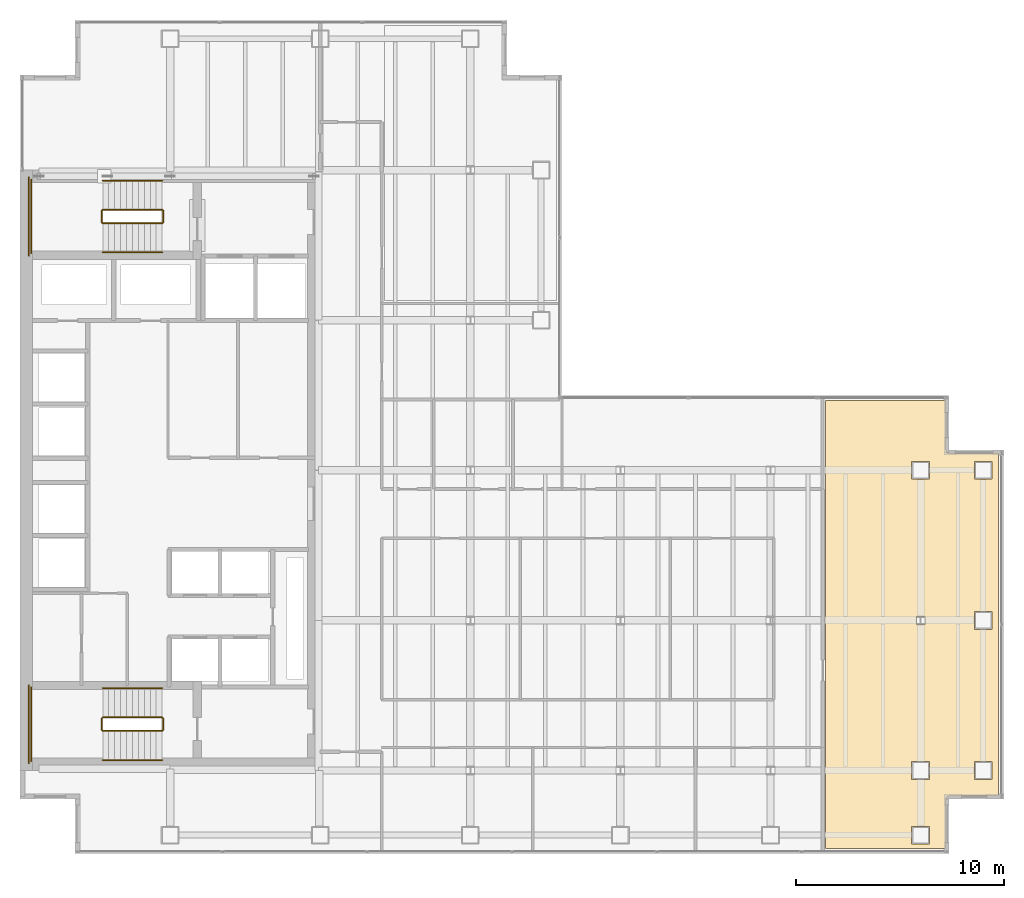
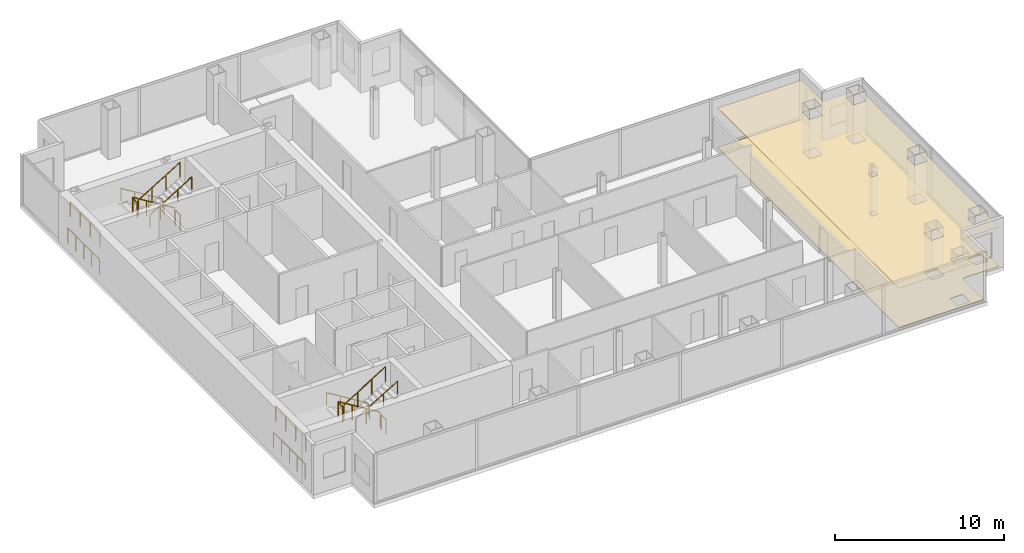
# One storey, part 23 of 24: 16 railings, 2 coverings.
"""IFC4 building model written with IfcOpenShell, lengths in metres."""

from ifc_helpers import new_model, si_unit, direction, frame, origin, origin_2d, place, context, subcontext, project, spatial, polyline, circle, outline, extrude, material, layer, layer_set, type_object, element, save


model = new_model("IFC4")

# Units and contexts
model_context = context("Model", 3, precision=1e-05, world=origin(), true_north=direction((0.0, 1.0)))
body_context = subcontext(model_context, "Body", "Model", "MODEL_VIEW")
ifc_project = project(units=[si_unit("LENGTHUNIT", "METRE"), si_unit("AREAUNIT", "SQUARE_METRE"), si_unit("VOLUMEUNIT", "CUBIC_METRE"), si_unit("PLANEANGLEUNIT", "RADIAN"), si_unit("MASSUNIT", "GRAM", prefix="KILO")], contexts=[model_context])

# Site, building, storey
site_placement = place(None, origin())
site = spatial("IfcSite", under=ifc_project, at=site_placement, CompositionType="ELEMENT")
building_placement = place(site_placement, origin())
building = spatial("IfcBuilding", under=site, at=building_placement, Name="Cobrela Telecom Tower", CompositionType="ELEMENT")
storey_placement = place(building_placement, frame((0.0, 0.0, 152.25)))
storey = spatial("IfcBuildingStorey", under=building, at=storey_placement, Name="L38", CompositionType="ELEMENT", Elevation=152.25)

# Coverings
ifc_material_1 = material(Name="Mineral Fibre Acoustic Ceiling Tile")
ifc_layer_1 = layer(ifc_material_1, 0.02490234375)
ifc_layer_set_1 = layer_set([ifc_layer_1], Name="Mineral Fibre Acoustic Ceiling Tile")
covering_type_1 = type_object("IfcCoveringType", Name="COV-CEIL-ACT", PredefinedType="CEILING", material=ifc_layer_set_1)
covering_1_placement = place(storey_placement, frame((0.0, 0.0, 2.860107421875)))
element("IfcCovering", 1, at=covering_1_placement, inside=storey, type_object=covering_type_1, Name="L38 Systems Engineering Studio 8 Suspended Acoustic Ceiling", PredefinedType="CEILING", context=body_context, shape_type="SweptSolid", body=[
    extrude(outline(polyline([(44.542724609375, 5.96728515625), (44.529296875, 5.964111328125), (44.516357421875, 5.95947265625), (44.50390625, 5.95361328125), (44.4921875, 5.9462890625), (44.481201171875, 5.938232421875), (44.470947265625, 5.928955078125), (44.461669921875, 5.918701171875), (44.45361328125, 5.907958984375), (44.446533203125, 5.89599609375), (44.440673828125, 5.883544921875), (44.43603515625, 5.87060546875), (44.4326171875, 5.857421875), (44.4306640625, 5.84375), (44.429931640625, 5.8310546875), (44.429931640625, 3.4599609375), (38.639892578125, 3.4599609375), (38.639892578125, 24.93994140625), (44.429931640625, 24.93994140625), (44.429931640625, 22.569091796875), (44.4306640625, 22.556396484375), (44.4326171875, 22.542724609375), (44.43603515625, 22.529296875), (44.440673828125, 22.516357421875), (44.446533203125, 22.50390625), (44.45361328125, 22.4921875), (44.461669921875, 22.481201171875), (44.470947265625, 22.470947265625), (44.481201171875, 22.461669921875), (44.4921875, 22.45361328125), (44.50390625, 22.446533203125), (44.516357421875, 22.440673828125), (44.529296875, 22.43603515625), (44.542724609375, 22.4326171875), (44.556396484375, 22.4306640625), (44.569091796875, 22.429931640625), (46.93994140625, 22.429931640625), (46.93994140625, 5.969970703125), (44.569091796875, 5.969970703125), (44.556396484375, 5.969482421875), (44.542724609375, 5.96728515625)]), holes=[polyline([(43.625, 3.675048828125), (43.625, 4.52490234375), (42.77490234375, 4.52490234375), (42.77490234375, 3.675048828125), (43.625, 3.675048828125)]), polyline([(43.625, 6.77490234375), (43.625, 7.625), (42.77490234375, 7.625), (42.77490234375, 6.77490234375), (43.625, 6.77490234375)]), polyline([(46.625, 6.77490234375), (46.625, 7.625), (45.77490234375, 7.625), (45.77490234375, 6.77490234375), (46.625, 6.77490234375)]), polyline([(43.3994140625, 14.202880859375), (43.3994140625, 14.596923828125), (43.00048828125, 14.596923828125), (43.00048828125, 14.202880859375), (43.3994140625, 14.202880859375)]), polyline([(46.625, 13.97509765625), (46.625, 14.824951171875), (45.77490234375, 14.824951171875), (45.77490234375, 13.97509765625), (46.625, 13.97509765625)]), polyline([(43.625, 21.175048828125), (43.625, 22.02490234375), (42.77490234375, 22.02490234375), (42.77490234375, 21.175048828125), (43.625, 21.175048828125)]), polyline([(46.625, 21.175048828125), (46.625, 22.02490234375), (45.77490234375, 22.02490234375), (45.77490234375, 21.175048828125), (46.625, 21.175048828125)])]), origin(), (0.0, 0.0, 1.0), 0.02490234375),
])
ifc_material_2 = material(Name="Honed Colombian Basalt Stone", Category="masonry")
ifc_layer_2 = layer(ifc_material_2, 0.0400390625)
ifc_layer_set_2 = layer_set([ifc_layer_2], Name="Honed Colombian Basalt Stone")
covering_type_2 = type_object("IfcCoveringType", Name="COV-FLR-STONE", PredefinedType="FLOORING", material=ifc_layer_set_2)
covering_2_placement = place(storey_placement, origin())
element("IfcCovering", 2, at=covering_2_placement, inside=storey, type_object=covering_type_2, Name="L38 Systems Engineering Studio 8 Raised Technical Flooring", PredefinedType="FLOORING", context=body_context, shape_type="SweptSolid", body=[
    extrude(outline(polyline([(44.542724609375, 5.96728515625), (44.529296875, 5.964111328125), (44.516357421875, 5.95947265625), (44.50390625, 5.95361328125), (44.4921875, 5.9462890625), (44.481201171875, 5.938232421875), (44.470947265625, 5.928955078125), (44.461669921875, 5.918701171875), (44.45361328125, 5.907958984375), (44.446533203125, 5.89599609375), (44.440673828125, 5.883544921875), (44.43603515625, 5.87060546875), (44.4326171875, 5.857421875), (44.4306640625, 5.84375), (44.429931640625, 5.8310546875), (44.429931640625, 3.4599609375), (38.639892578125, 3.4599609375), (38.639892578125, 24.93994140625), (44.429931640625, 24.93994140625), (44.429931640625, 22.569091796875), (44.4306640625, 22.556396484375), (44.4326171875, 22.542724609375), (44.43603515625, 22.529296875), (44.440673828125, 22.516357421875), (44.446533203125, 22.50390625), (44.45361328125, 22.4921875), (44.461669921875, 22.481201171875), (44.470947265625, 22.470947265625), (44.481201171875, 22.461669921875), (44.4921875, 22.45361328125), (44.50390625, 22.446533203125), (44.516357421875, 22.440673828125), (44.529296875, 22.43603515625), (44.542724609375, 22.4326171875), (44.556396484375, 22.4306640625), (44.569091796875, 22.429931640625), (46.93994140625, 22.429931640625), (46.93994140625, 5.969970703125), (44.569091796875, 5.969970703125), (44.556396484375, 5.969482421875), (44.542724609375, 5.96728515625)]), holes=[polyline([(43.625, 3.675048828125), (43.625, 4.52490234375), (42.77490234375, 4.52490234375), (42.77490234375, 3.675048828125), (43.625, 3.675048828125)]), polyline([(43.625, 6.77490234375), (43.625, 7.625), (42.77490234375, 7.625), (42.77490234375, 6.77490234375), (43.625, 6.77490234375)]), polyline([(46.625, 6.77490234375), (46.625, 7.625), (45.77490234375, 7.625), (45.77490234375, 6.77490234375), (46.625, 6.77490234375)]), polyline([(43.3994140625, 14.202880859375), (43.3994140625, 14.596923828125), (43.00048828125, 14.596923828125), (43.00048828125, 14.202880859375), (43.3994140625, 14.202880859375)]), polyline([(46.625, 13.97509765625), (46.625, 14.824951171875), (45.77490234375, 14.824951171875), (45.77490234375, 13.97509765625), (46.625, 13.97509765625)]), polyline([(43.625, 21.175048828125), (43.625, 22.02490234375), (42.77490234375, 22.02490234375), (42.77490234375, 21.175048828125), (43.625, 21.175048828125)]), polyline([(46.625, 21.175048828125), (46.625, 22.02490234375), (45.77490234375, 22.02490234375), (45.77490234375, 21.175048828125), (46.625, 21.175048828125)])]), origin(), (0.0, 0.0, 1.0), 0.0400390625),
])

# Railings
ifc_material_3 = material(Name="Steel ASTM A36", Category="steel")
railing_type_1 = type_object("IfcRailingType", Name="RAIL-GUARD-1100", PredefinedType="GUARDRAIL", material=ifc_material_3)
railing_1_placement = place(storey_placement, frame((6.820068359375, 34.10009765625, 0.175048828125)))
element("IfcRailing", 3, at=railing_1_placement, inside=storey, type_object=railing_type_1, Name="L38 ST1 stair guard 1", PredefinedType="GUARDRAIL", context=body_context, shape_type="SweptSolid", body=[
    extrude(circle(Radius=0.02392578125, at=origin_2d()), frame((0.0, 0.0, 1.076171875), z_axis=(-0.852179220489, 0.0, 0.52325001306), x_axis=(0.0, -1.0, 0.0)), (0.0, 0.0, 1.0), 3.344482421875),
    extrude(circle(Radius=0.02099609375, at=origin_2d()), origin(), (0.0, 0.0, 1.0), 1.052001953125),
    extrude(circle(Radius=0.02099609375, at=origin_2d()), frame((-0.949951171875, 0.0, 0.583251953125)), (0.0, 0.0, 1.0), 1.052001953125),
    extrude(circle(Radius=0.02099609375, at=origin_2d()), frame((-1.900146484375, 0.0, 1.166748046875)), (0.0, 0.0, 1.0), 1.052001953125),
    extrude(circle(Radius=0.02099609375, at=origin_2d()), frame((-2.85009765625, 0.0, 1.75)), (0.0, 0.0, 1.0), 1.052001953125),
])
railing_2_placement = place(storey_placement, frame((3.919921875, 34.050048828125, 1.925048828125)))
element("IfcRailing", 4, at=railing_2_placement, inside=storey, type_object=railing_type_1, Name="L38 ST1 stair guard 2", PredefinedType="GUARDRAIL", context=body_context, shape_type="SweptSolid", body=[
    extrude(circle(Radius=0.02392578125, at=origin_2d()), frame((0.0, 0.0, 1.076171875), z_axis=(0.0, -1.0, 0.0), x_axis=(1.0, 0.0, 0.0)), (0.0, 0.0, 1.0), 0.550048828125),
    extrude(circle(Radius=0.02099609375, at=origin_2d()), origin(), (0.0, 0.0, 1.0), 1.052001953125),
    extrude(circle(Radius=0.02099609375, at=origin_2d()), frame((0.0, -0.550048828125, 0.0)), (0.0, 0.0, 1.0), 1.052001953125),
])
railing_3_placement = place(storey_placement, frame((0.530029296875, 35.550048828125, 1.925048828125)))
element("IfcRailing", 5, at=railing_3_placement, inside=storey, type_object=railing_type_1, Name="L38 ST1 stair guard 3", PredefinedType="GUARDRAIL", context=body_context, shape_type="SweptSolid", body=[
    extrude(circle(Radius=0.02392578125, at=origin_2d()), frame((0.0, 0.0, 1.076171875), z_axis=(0.0, -1.0, 0.0), x_axis=(1.0, 0.0, 0.0)), (0.0, 0.0, 1.0), 3.550048828125),
    extrude(circle(Radius=0.02099609375, at=origin_2d()), origin(), (0.0, 0.0, 1.0), 1.052001953125),
    extrude(circle(Radius=0.02099609375, at=origin_2d()), frame((0.0, -1.183349609375, 0.0)), (0.0, 0.0, 1.0), 1.052001953125),
    extrude(circle(Radius=0.02099609375, at=origin_2d()), frame((0.0, -2.36669921875, 0.0)), (0.0, 0.0, 1.0), 1.052001953125),
    extrude(circle(Radius=0.02099609375, at=origin_2d()), frame((0.0, -3.550048828125, 0.0)), (0.0, 0.0, 1.0), 1.052001953125),
])
railing_4_placement = place(storey_placement, frame((3.969970703125, 33.449951171875, 2.10009765625)))
element("IfcRailing", 6, at=railing_4_placement, inside=storey, type_object=railing_type_1, Name="L38 ST1 stair guard 4", PredefinedType="GUARDRAIL", context=body_context, shape_type="SweptSolid", body=[
    extrude(circle(Radius=0.02392578125, at=origin_2d()), frame((0.0, 0.0, 1.076171875), z_axis=(0.852179220489, 0.0, 0.52325001306), x_axis=(0.0, 1.0, 0.0)), (0.0, 0.0, 1.0), 3.344482421875),
    extrude(circle(Radius=0.02099609375, at=origin_2d()), origin(), (0.0, 0.0, 1.0), 1.052001953125),
    extrude(circle(Radius=0.02099609375, at=origin_2d()), frame((0.949951171875, 0.0, 0.583251953125)), (0.0, 0.0, 1.0), 1.052001953125),
    extrude(circle(Radius=0.02099609375, at=origin_2d()), frame((1.900146484375, 0.0, 1.166748046875)), (0.0, 0.0, 1.0), 1.052001953125),
    extrude(circle(Radius=0.02099609375, at=origin_2d()), frame((2.85009765625, 0.0, 1.75)), (0.0, 0.0, 1.0), 1.052001953125),
])
railing_5_placement = place(storey_placement, frame((6.8701171875, 34.050048828125, 0.0)))
element("IfcRailing", 7, at=railing_5_placement, inside=storey, type_object=railing_type_1, Name="L38 ST1 stair guard 5", PredefinedType="GUARDRAIL", context=body_context, shape_type="SweptSolid", body=[
    extrude(circle(Radius=0.02392578125, at=origin_2d()), frame((0.0, 0.0, 1.076171875), z_axis=(0.0, -1.0, 0.0), x_axis=(1.0, 0.0, 0.0)), (0.0, 0.0, 1.0), 0.550048828125),
    extrude(circle(Radius=0.02099609375, at=origin_2d()), origin(), (0.0, 0.0, 1.0), 1.052001953125),
    extrude(circle(Radius=0.02099609375, at=origin_2d()), frame((0.0, -0.550048828125, 0.0)), (0.0, 0.0, 1.0), 1.052001953125),
])
railing_6_placement = place(storey_placement, frame((0.429931640625, 35.64990234375, 0.0)))
element("IfcRailing", 8, at=railing_6_placement, inside=storey, type_object=railing_type_1, Name="L38 ST1 stair guard 6", PredefinedType="GUARDRAIL", context=body_context, shape_type="SweptSolid", body=[
    extrude(circle(Radius=0.02392578125, at=origin_2d()), frame((0.0, 0.0, 1.076171875), z_axis=(0.0, -1.0, 0.0), x_axis=(1.0, 0.0, 0.0)), (0.0, 0.0, 1.0), 3.75),
    extrude(circle(Radius=0.02099609375, at=origin_2d()), origin(), (0.0, 0.0, 1.0), 1.052001953125),
    extrude(circle(Radius=0.02099609375, at=origin_2d()), frame((0.0, -0.9375, 0.0)), (0.0, 0.0, 1.0), 1.052001953125),
    extrude(circle(Radius=0.02099609375, at=origin_2d()), frame((0.0, -1.875, 0.0)), (0.0, 0.0, 1.0), 1.052001953125),
    extrude(circle(Radius=0.02099609375, at=origin_2d()), frame((0.0, -2.8125, 0.0)), (0.0, 0.0, 1.0), 1.052001953125),
    extrude(circle(Radius=0.02099609375, at=origin_2d()), frame((0.0, -3.75, 0.0)), (0.0, 0.0, 1.0), 1.052001953125),
])
railing_7_placement = place(storey_placement, frame((6.820068359375, 9.75, 0.175048828125)))
element("IfcRailing", 9, at=railing_7_placement, inside=storey, type_object=railing_type_1, Name="L38 ST2 stair guard 1", PredefinedType="GUARDRAIL", context=body_context, shape_type="SweptSolid", body=[
    extrude(circle(Radius=0.02392578125, at=origin_2d()), frame((0.0, 0.0, 1.076171875), z_axis=(-0.852179220489, 0.0, 0.52325001306), x_axis=(0.0, -1.0, 0.0)), (0.0, 0.0, 1.0), 3.344482421875),
    extrude(circle(Radius=0.02099609375, at=origin_2d()), origin(), (0.0, 0.0, 1.0), 1.052001953125),
    extrude(circle(Radius=0.02099609375, at=origin_2d()), frame((-0.949951171875, 0.0, 0.583251953125)), (0.0, 0.0, 1.0), 1.052001953125),
    extrude(circle(Radius=0.02099609375, at=origin_2d()), frame((-1.900146484375, 0.0, 1.166748046875)), (0.0, 0.0, 1.0), 1.052001953125),
    extrude(circle(Radius=0.02099609375, at=origin_2d()), frame((-2.85009765625, 0.0, 1.75)), (0.0, 0.0, 1.0), 1.052001953125),
])
railing_8_placement = place(storey_placement, frame((3.919921875, 9.699951171875, 1.925048828125)))
element("IfcRailing", 10, at=railing_8_placement, inside=storey, type_object=railing_type_1, Name="L38 ST2 stair guard 2", PredefinedType="GUARDRAIL", context=body_context, shape_type="SweptSolid", body=[
    extrude(circle(Radius=0.02392578125, at=origin_2d()), frame((0.0, 0.0, 1.076171875), z_axis=(0.0, -1.0, 0.0), x_axis=(1.0, 0.0, 0.0)), (0.0, 0.0, 1.0), 0.550048828125),
    extrude(circle(Radius=0.02099609375, at=origin_2d()), origin(), (0.0, 0.0, 1.0), 1.052001953125),
    extrude(circle(Radius=0.02099609375, at=origin_2d()), frame((0.0, -0.550048828125, 0.0)), (0.0, 0.0, 1.0), 1.052001953125),
])
railing_9_placement = place(storey_placement, frame((0.530029296875, 11.199951171875, 1.925048828125)))
element("IfcRailing", 11, at=railing_9_placement, inside=storey, type_object=railing_type_1, Name="L38 ST2 stair guard 3", PredefinedType="GUARDRAIL", context=body_context, shape_type="SweptSolid", body=[
    extrude(circle(Radius=0.02392578125, at=origin_2d()), frame((0.0, 0.0, 1.076171875), z_axis=(0.0, -1.0, 0.0), x_axis=(1.0, 0.0, 0.0)), (0.0, 0.0, 1.0), 3.550048828125),
    extrude(circle(Radius=0.02099609375, at=origin_2d()), origin(), (0.0, 0.0, 1.0), 1.052001953125),
    extrude(circle(Radius=0.02099609375, at=origin_2d()), frame((0.0, -1.183349609375, 0.0)), (0.0, 0.0, 1.0), 1.052001953125),
    extrude(circle(Radius=0.02099609375, at=origin_2d()), frame((0.0, -2.36669921875, 0.0)), (0.0, 0.0, 1.0), 1.052001953125),
    extrude(circle(Radius=0.02099609375, at=origin_2d()), frame((0.0, -3.550048828125, 0.0)), (0.0, 0.0, 1.0), 1.052001953125),
])
railing_10_placement = place(storey_placement, frame((3.969970703125, 9.10009765625, 2.10009765625)))
element("IfcRailing", 12, at=railing_10_placement, inside=storey, type_object=railing_type_1, Name="L38 ST2 stair guard 4", PredefinedType="GUARDRAIL", context=body_context, shape_type="SweptSolid", body=[
    extrude(circle(Radius=0.02392578125, at=origin_2d()), frame((0.0, 0.0, 1.076171875), z_axis=(0.852179220489, 0.0, 0.52325001306), x_axis=(0.0, 1.0, 0.0)), (0.0, 0.0, 1.0), 3.344482421875),
    extrude(circle(Radius=0.02099609375, at=origin_2d()), origin(), (0.0, 0.0, 1.0), 1.052001953125),
    extrude(circle(Radius=0.02099609375, at=origin_2d()), frame((0.949951171875, 0.0, 0.583251953125)), (0.0, 0.0, 1.0), 1.052001953125),
    extrude(circle(Radius=0.02099609375, at=origin_2d()), frame((1.900146484375, 0.0, 1.166748046875)), (0.0, 0.0, 1.0), 1.052001953125),
    extrude(circle(Radius=0.02099609375, at=origin_2d()), frame((2.85009765625, 0.0, 1.75)), (0.0, 0.0, 1.0), 1.052001953125),
])
railing_11_placement = place(storey_placement, frame((6.8701171875, 9.699951171875, 0.0)))
element("IfcRailing", 13, at=railing_11_placement, inside=storey, type_object=railing_type_1, Name="L38 ST2 stair guard 5", PredefinedType="GUARDRAIL", context=body_context, shape_type="SweptSolid", body=[
    extrude(circle(Radius=0.02392578125, at=origin_2d()), frame((0.0, 0.0, 1.076171875), z_axis=(0.0, -1.0, 0.0), x_axis=(1.0, 0.0, 0.0)), (0.0, 0.0, 1.0), 0.550048828125),
    extrude(circle(Radius=0.02099609375, at=origin_2d()), origin(), (0.0, 0.0, 1.0), 1.052001953125),
    extrude(circle(Radius=0.02099609375, at=origin_2d()), frame((0.0, -0.550048828125, 0.0)), (0.0, 0.0, 1.0), 1.052001953125),
])
railing_12_placement = place(storey_placement, frame((0.429931640625, 11.300048828125, 0.0)))
element("IfcRailing", 14, at=railing_12_placement, inside=storey, type_object=railing_type_1, Name="L38 ST2 stair guard 6", PredefinedType="GUARDRAIL", context=body_context, shape_type="SweptSolid", body=[
    extrude(circle(Radius=0.02392578125, at=origin_2d()), frame((0.0, 0.0, 1.076171875), z_axis=(0.0, -1.0, 0.0), x_axis=(1.0, 0.0, 0.0)), (0.0, 0.0, 1.0), 3.75),
    extrude(circle(Radius=0.02099609375, at=origin_2d()), origin(), (0.0, 0.0, 1.0), 1.052001953125),
    extrude(circle(Radius=0.02099609375, at=origin_2d()), frame((0.0, -0.9375, 0.0)), (0.0, 0.0, 1.0), 1.052001953125),
    extrude(circle(Radius=0.02099609375, at=origin_2d()), frame((0.0, -1.875, 0.0)), (0.0, 0.0, 1.0), 1.052001953125),
    extrude(circle(Radius=0.02099609375, at=origin_2d()), frame((0.0, -2.8125, 0.0)), (0.0, 0.0, 1.0), 1.052001953125),
    extrude(circle(Radius=0.02099609375, at=origin_2d()), frame((0.0, -3.75, 0.0)), (0.0, 0.0, 1.0), 1.052001953125),
])
railing_type_2 = type_object("IfcRailingType", Name="RAIL-HAND-920", PredefinedType="HANDRAIL", material=ifc_material_3)
railing_13_placement = place(storey_placement, frame((6.820068359375, 35.5, 0.175048828125)))
element("IfcRailing", 15, at=railing_13_placement, inside=storey, type_object=railing_type_2, Name="L38 ST1 stair handrail 1", PredefinedType="HANDRAIL", context=body_context, shape_type="SweptSolid", body=[
    extrude(circle(Radius=0.02392578125, at=origin_2d()), frame((0.0, 0.0, 0.8759765625), z_axis=(-0.852179220489, 0.0, 0.52325001306), x_axis=(0.0, -1.0, 0.0)), (0.0, 0.0, 1.0), 3.344482421875),
    extrude(circle(Radius=0.02099609375, at=origin_2d()), origin(), (0.0, 0.0, 1.0), 0.851806640625),
    extrude(circle(Radius=0.02099609375, at=origin_2d()), frame((-0.949951171875, 0.0, 0.583251953125)), (0.0, 0.0, 1.0), 0.851806640625),
    extrude(circle(Radius=0.02099609375, at=origin_2d()), frame((-1.900146484375, 0.0, 1.166748046875)), (0.0, 0.0, 1.0), 0.851806640625),
    extrude(circle(Radius=0.02099609375, at=origin_2d()), frame((-2.85009765625, 0.0, 1.75)), (0.0, 0.0, 1.0), 0.851806640625),
])
railing_14_placement = place(storey_placement, frame((3.969970703125, 32.050048828125, 2.10009765625)))
element("IfcRailing", 16, at=railing_14_placement, inside=storey, type_object=railing_type_2, Name="L38 ST1 stair handrail 2", PredefinedType="HANDRAIL", context=body_context, shape_type="SweptSolid", body=[
    extrude(circle(Radius=0.02392578125, at=origin_2d()), frame((0.0, 0.0, 0.8759765625), z_axis=(0.852179220489, 0.0, 0.52325001306), x_axis=(0.0, 1.0, 0.0)), (0.0, 0.0, 1.0), 3.344482421875),
    extrude(circle(Radius=0.02099609375, at=origin_2d()), origin(), (0.0, 0.0, 1.0), 0.851806640625),
    extrude(circle(Radius=0.02099609375, at=origin_2d()), frame((0.949951171875, 0.0, 0.583251953125)), (0.0, 0.0, 1.0), 0.851806640625),
    extrude(circle(Radius=0.02099609375, at=origin_2d()), frame((1.900146484375, 0.0, 1.166748046875)), (0.0, 0.0, 1.0), 0.851806640625),
    extrude(circle(Radius=0.02099609375, at=origin_2d()), frame((2.85009765625, 0.0, 1.75)), (0.0, 0.0, 1.0), 0.851806640625),
])
railing_15_placement = place(storey_placement, frame((6.820068359375, 11.14990234375, 0.175048828125)))
element("IfcRailing", 17, at=railing_15_placement, inside=storey, type_object=railing_type_2, Name="L38 ST2 stair handrail 1", PredefinedType="HANDRAIL", context=body_context, shape_type="SweptSolid", body=[
    extrude(circle(Radius=0.02392578125, at=origin_2d()), frame((0.0, 0.0, 0.8759765625), z_axis=(-0.852179220489, 0.0, 0.52325001306), x_axis=(0.0, -1.0, 0.0)), (0.0, 0.0, 1.0), 3.344482421875),
    extrude(circle(Radius=0.02099609375, at=origin_2d()), origin(), (0.0, 0.0, 1.0), 0.851806640625),
    extrude(circle(Radius=0.02099609375, at=origin_2d()), frame((-0.949951171875, 0.0, 0.583251953125)), (0.0, 0.0, 1.0), 0.851806640625),
    extrude(circle(Radius=0.02099609375, at=origin_2d()), frame((-1.900146484375, 0.0, 1.166748046875)), (0.0, 0.0, 1.0), 0.851806640625),
    extrude(circle(Radius=0.02099609375, at=origin_2d()), frame((-2.85009765625, 0.0, 1.75)), (0.0, 0.0, 1.0), 0.851806640625),
])
railing_16_placement = place(storey_placement, frame((3.969970703125, 7.699951171875, 2.10009765625)))
element("IfcRailing", 18, at=railing_16_placement, inside=storey, type_object=railing_type_2, Name="L38 ST2 stair handrail 2", PredefinedType="HANDRAIL", context=body_context, shape_type="SweptSolid", body=[
    extrude(circle(Radius=0.02392578125, at=origin_2d()), frame((0.0, 0.0, 0.8759765625), z_axis=(0.852179220489, 0.0, 0.52325001306), x_axis=(0.0, 1.0, 0.0)), (0.0, 0.0, 1.0), 3.344482421875),
    extrude(circle(Radius=0.02099609375, at=origin_2d()), origin(), (0.0, 0.0, 1.0), 0.851806640625),
    extrude(circle(Radius=0.02099609375, at=origin_2d()), frame((0.949951171875, 0.0, 0.583251953125)), (0.0, 0.0, 1.0), 0.851806640625),
    extrude(circle(Radius=0.02099609375, at=origin_2d()), frame((1.900146484375, 0.0, 1.166748046875)), (0.0, 0.0, 1.0), 0.851806640625),
    extrude(circle(Radius=0.02099609375, at=origin_2d()), frame((2.85009765625, 0.0, 1.75)), (0.0, 0.0, 1.0), 0.851806640625),
])

save(model, "model.ifc")
